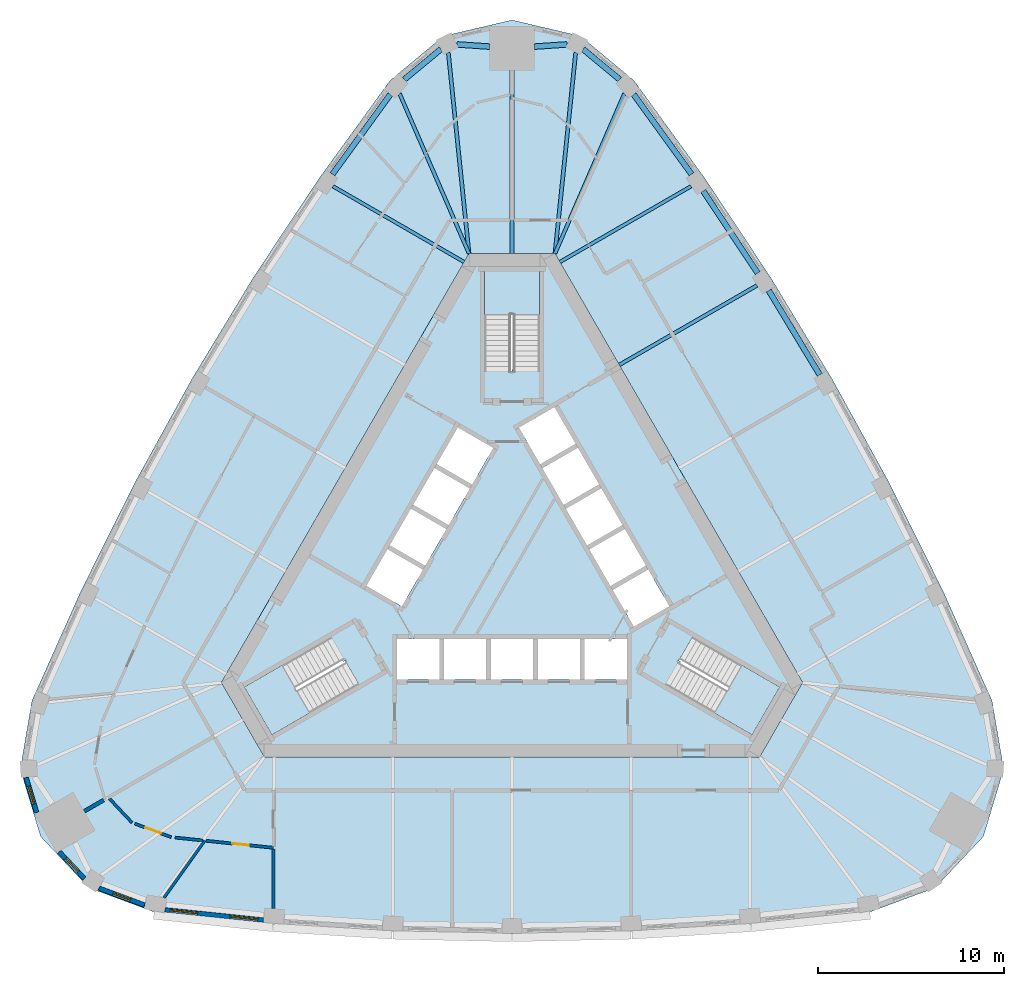
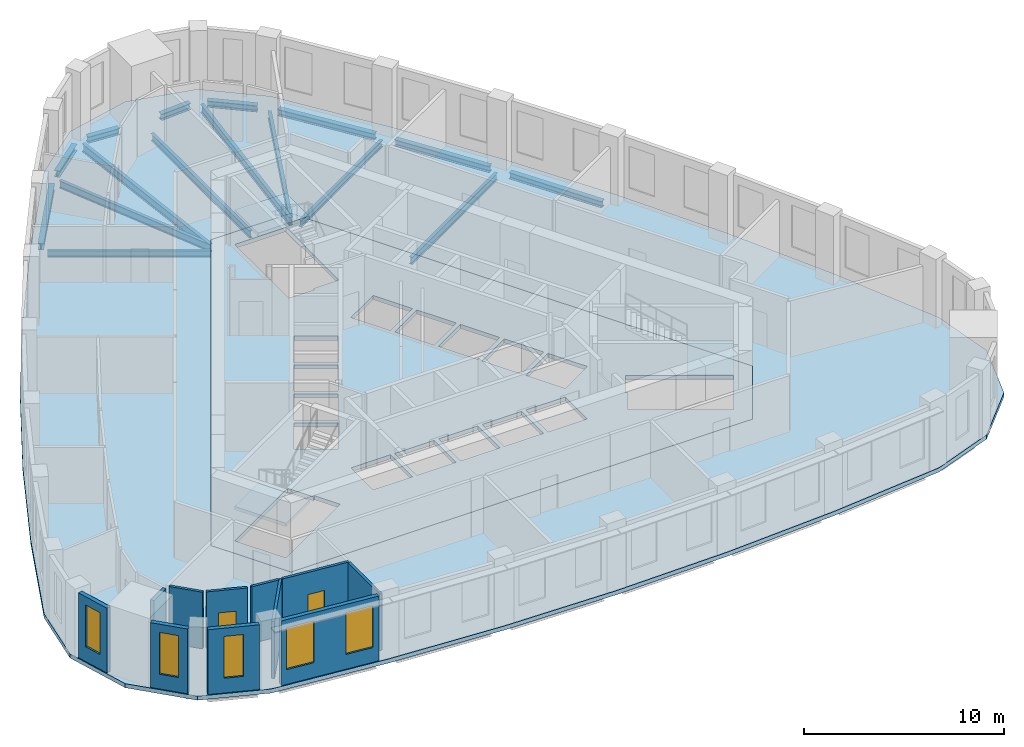
# One storey, part 2 of 10: 16 beams, 11 walls, 5 slabs, 5 windows, 2 doors, 7 openings, 3 elements without a shape of their own.
"""IFC4 building model written with IfcOpenShell, lengths in metres."""

from ifc_helpers import new_model, si_unit, direction, frame, frame_2d, origin, origin_2d, place, context, subcontext, project, spatial, polyline, rectangle, i_section, outline, extrude, material, layer, layer_set, material_profile, profile_set, type_object, element, fill, aggregate, save


model = new_model("IFC4")

# Units and contexts
model_context = context("Model", 3, precision=1e-05, world=origin(), true_north=direction((0.0, 1.0)))
body_context = subcontext(model_context, "Body", "Model", "MODEL_VIEW")
ifc_project = project(units=[si_unit("LENGTHUNIT", "METRE"), si_unit("AREAUNIT", "SQUARE_METRE"), si_unit("VOLUMEUNIT", "CUBIC_METRE"), si_unit("PLANEANGLEUNIT", "RADIAN"), si_unit("MASSUNIT", "GRAM", prefix="KILO")], contexts=[model_context])

# Site, building, storey
site_placement = place(None, origin())
site = spatial("IfcSite", under=ifc_project, at=site_placement, CompositionType="ELEMENT")
building_placement = place(site_placement, origin())
building = spatial("IfcBuilding", under=site, at=building_placement, Name="Mestral Congress Tower", CompositionType="ELEMENT")
storey_placement = place(building_placement, frame((0.0, 0.0, 222.60009765625)))
storey = spatial("IfcBuildingStorey", under=building, at=storey_placement, Name="L52", CompositionType="ELEMENT", Elevation=222.60009765625)

# Beams
ifc_material_1 = material(Name="Steel S355", Category="steel")
ifc_material_profile_1 = material_profile(ifc_material_1, i_section(OverallWidth=0.179931640625, OverallDepth=0.39990234375, WebThickness=0.008544921875, FlangeThickness=0.013427734375, FilletRadius=0.02099609375, at=origin_2d()), Name="IPE 400")
ifc_profile_set_1 = profile_set([ifc_material_profile_1], Name="Steel S355")
beam_type_1 = type_object("IfcBeamType", Name="Floor beam IPE 400 S355", PredefinedType="BEAM", material=ifc_profile_set_1)
for number, where, z_axis, x_axis, name in (
    (1, (9.627197265625, 20.321533203125, -0.4501953125), (-0.86601443812, -0.500018992608, 0.0), (0.500018992608, -0.86601443812, 0.0), "BM-L52-RB4-E05"),
    (2, (-9.627197265625, 20.321533203125, -0.4501953125), (0.86601443812, -0.500018992608, 0.0), (0.500018992608, 0.86601443812, 0.0), "BM-L52-RB4-W01"),
):
    element("IfcBeam", number, at=place(storey_placement, frame(where, z_axis=z_axis, x_axis=x_axis)), inside=storey, type_object=beam_type_1, Name=name, PredefinedType="BEAM", context=body_context, shape_type="SweptSolid", body=[
        extrude(i_section(OverallWidth=0.179931640625, OverallDepth=0.39990234375, WebThickness=0.008544921875, FlangeThickness=0.013427734375, FilletRadius=0.02099609375, at=origin_2d()), origin(), (0.0, 0.0, 1.0), 8.148193359375),
    ])
ifc_material_profile_2 = material_profile(ifc_material_1, i_section(OverallWidth=0.18994140625, OverallDepth=0.449951171875, WebThickness=0.009521484375, FlangeThickness=0.0146484375, FilletRadius=0.02099609375, at=origin_2d()), Name="IPE 450")
ifc_profile_set_2 = profile_set([ifc_material_profile_2], Name="Steel S355")
beam_type_2 = type_object("IfcBeamType", Name="Floor beam IPE 450 S355", PredefinedType="BEAM", material=ifc_profile_set_2)
beam_1_placement = place(storey_placement, frame((13.16650390625, 14.98974609375, -0.47509765625), z_axis=(-0.866028621479, -0.499994426748, 0.0), x_axis=(0.499994426748, -0.866028621479, 0.0)))
element("IfcBeam", 3, at=beam_1_placement, inside=storey, type_object=beam_type_2, Name="BM-L52-RB4-E04", PredefinedType="BEAM", context=body_context, shape_type="SweptSolid", body=[
    extrude(i_section(OverallWidth=0.18994140625, OverallDepth=0.449951171875, WebThickness=0.009521484375, FlangeThickness=0.0146484375, FilletRadius=0.02099609375, at=origin_2d()), origin(), (0.0, 0.0, 1.0), 8.54736328125),
])
beam_2_placement = place(storey_placement, frame((6.0419921875, 25.296875, -0.47509765625), z_axis=(-0.398265997009, -0.91726996878, 0.0), x_axis=(0.91726996878, -0.398265997009, 0.0)))
element("IfcBeam", 4, at=beam_2_placement, inside=storey, type_object=beam_type_2, Name="BM-L52-RB4-E06", PredefinedType="BEAM", context=body_context, shape_type="SweptSolid", body=[
    extrude(i_section(OverallWidth=0.18994140625, OverallDepth=0.449951171875, WebThickness=0.009521484375, FlangeThickness=0.0146484375, FilletRadius=0.02099609375, at=origin_2d()), origin(), (0.0, 0.0, 1.0), 9.372314453125),
])
beam_3_placement = place(storey_placement, frame((0.0, 26.54443359375, -0.47509765625), z_axis=(0.0, -1.0, 0.0), x_axis=(1.0, 0.0, 0.0)))
element("IfcBeam", 5, at=beam_3_placement, inside=storey, type_object=beam_type_2, Name="BM-L52-RB4-N", PredefinedType="BEAM", context=body_context, shape_type="SweptSolid", body=[
    extrude(i_section(OverallWidth=0.18994140625, OverallDepth=0.449951171875, WebThickness=0.009521484375, FlangeThickness=0.0146484375, FilletRadius=0.02099609375, at=origin_2d()), origin(), (0.0, 0.0, 1.0), 9.844482421875),
])
beam_4_placement = place(storey_placement, frame((-6.0419921875, 25.296875, -0.47509765625), z_axis=(0.398265997009, -0.91726996878, 0.0), x_axis=(0.91726996878, 0.398265997009, 0.0)))
element("IfcBeam", 6, at=beam_4_placement, inside=storey, type_object=beam_type_2, Name="BM-L52-RB4-W00", PredefinedType="BEAM", context=body_context, shape_type="SweptSolid", body=[
    extrude(i_section(OverallWidth=0.18994140625, OverallDepth=0.449951171875, WebThickness=0.009521484375, FlangeThickness=0.0146484375, FilletRadius=0.02099609375, at=origin_2d()), origin(), (0.0, 0.0, 1.0), 9.372314453125),
])
ifc_material_profile_3 = material_profile(ifc_material_1, i_section(OverallWidth=0.199951171875, OverallDepth=0.5, WebThickness=0.01025390625, FlangeThickness=0.01611328125, FilletRadius=0.02099609375, at=origin_2d()), Name="IPE 500")
ifc_profile_set_3 = profile_set([ifc_material_profile_3], Name="Steel S355")
beam_type_3 = type_object("IfcBeamType", Name="Floor beam IPE 500 S355", PredefinedType="BEAM", material=ifc_profile_set_3)
for number, where, z_axis, x_axis, name in (
    (7, (3.4228515625, 27.5009765625, -0.5), (-0.102550876252, -0.994727760636, 0.0), (0.994727760636, -0.102550876252, 0.0), "BM-L52-RB4-N1"),
    (8, (-3.4228515625, 27.5009765625, -0.5), (0.102550876252, -0.994727760636, 0.0), (0.994727760636, 0.102550876252, 0.0), "BM-L52-RB4-N3"),
):
    element("IfcBeam", number, at=place(storey_placement, frame(where, z_axis=z_axis, x_axis=x_axis)), inside=storey, type_object=beam_type_3, Name=name, PredefinedType="BEAM", context=body_context, shape_type="SweptSolid", body=[
        extrude(i_section(OverallWidth=0.199951171875, OverallDepth=0.5, WebThickness=0.01025390625, FlangeThickness=0.01611328125, FilletRadius=0.02099609375, at=origin_2d()), origin(), (0.0, 0.0, 1.0), 10.858154296875),
    ])
ifc_material_profile_4 = material_profile(ifc_material_1, i_section(OverallWidth=0.300048828125, OverallDepth=0.389892578125, WebThickness=0.010986328125, FlangeThickness=0.01904296875, FilletRadius=0.027099609375, at=origin_2d()), Name="HEA 400")
ifc_profile_set_4 = profile_set([ifc_material_profile_4], Name="Steel S355")
beam_type_4 = type_object("IfcBeamType", Name="Spandrel beam HEA 400 S355", PredefinedType="BEAM", material=ifc_profile_set_4)
for number, where, z_axis, x_axis, name in (
    (9, (16.54248046875, 10.185791015625, -0.445068359375), (-0.517865676042, 0.855461946306, 0.0), (-0.855461946306, -0.517865676042, 0.0), "SP-L52-SB4-E03"),
    (10, (13.209228515625, 15.648193359375, -0.445068359375), (-0.552934106774, 0.833224983762, 0.0), (-0.833224983762, -0.552934106774, 0.0), "SP-L52-SB4-E04"),
):
    element("IfcBeam", number, at=place(storey_placement, frame(where, z_axis=z_axis, x_axis=x_axis)), inside=storey, type_object=beam_type_4, Name=name, PredefinedType="BEAM", context=body_context, shape_type="SweptSolid", body=[
        extrude(i_section(OverallWidth=0.300048828125, OverallDepth=0.389892578125, WebThickness=0.010986328125, FlangeThickness=0.01904296875, FilletRadius=0.027099609375, at=origin_2d()), origin(), (0.0, 0.0, 1.0), 5.29931640625),
    ])
beam_5_placement = place(storey_placement, frame((9.652099609375, 20.967529296875, -0.445068359375), z_axis=(-0.587017415163, 0.809574304369, 0.0), x_axis=(-0.809574304369, -0.587017415163, 0.0)))
element("IfcBeam", 11, at=beam_5_placement, inside=storey, type_object=beam_type_4, Name="SP-L52-SB4-E05", PredefinedType="BEAM", context=body_context, shape_type="SweptSolid", body=[
    extrude(i_section(OverallWidth=0.300048828125, OverallDepth=0.389892578125, WebThickness=0.010986328125, FlangeThickness=0.01904296875, FilletRadius=0.027099609375, at=origin_2d()), origin(), (0.0, 0.0, 1.0), 5.29736328125),
])
beam_6_placement = place(storey_placement, frame((5.789306640625, 26.058837890625, -0.445068359375), z_axis=(-0.769970431757, 0.638079567311, 0.0), x_axis=(-0.638079567311, -0.769970431757, 0.0)))
element("IfcBeam", 12, at=beam_6_placement, inside=storey, type_object=beam_type_4, Name="SP-L52-SB4-E06", PredefinedType="BEAM", context=body_context, shape_type="SweptSolid", body=[
    extrude(i_section(OverallWidth=0.300048828125, OverallDepth=0.389892578125, WebThickness=0.010986328125, FlangeThickness=0.01904296875, FilletRadius=0.027099609375, at=origin_2d()), origin(), (0.0, 0.0, 1.0), 2.547119140625),
])
for number, where, z_axis, x_axis, name in (
    (13, (2.9521484375, 27.94384765625, -0.445068359375), (-0.997724466462, -0.067423208337, 0.0), (0.067423208337, -0.997724466462, 0.0), "SP-L52-SB4-N1"),
    (14, (-1.199951171875, 27.825439453125, -0.445068359375), (-0.997724466462, 0.067423208337, 0.0), (-0.067423208337, -0.997724466462, 0.0), "SP-L52-SB4-N"),
):
    element("IfcBeam", number, at=place(storey_placement, frame(where, z_axis=z_axis, x_axis=x_axis)), inside=storey, type_object=beam_type_4, Name=name, PredefinedType="BEAM", context=body_context, shape_type="SweptSolid", body=[
        extrude(i_section(OverallWidth=0.300048828125, OverallDepth=0.389892578125, WebThickness=0.010986328125, FlangeThickness=0.01904296875, FilletRadius=0.027099609375, at=origin_2d()), origin(), (0.0, 0.0, 1.0), 1.756103515625),
    ])
beam_7_placement = place(storey_placement, frame((-3.828125, 27.68408203125, -0.445068359375), z_axis=(-0.769970431757, -0.638079567311, 0.0), x_axis=(0.638079567311, -0.769970431757, 0.0)))
element("IfcBeam", 15, at=beam_7_placement, inside=storey, type_object=beam_type_4, Name="SP-L52-SB4-N3", PredefinedType="BEAM", context=body_context, shape_type="SweptSolid", body=[
    extrude(i_section(OverallWidth=0.300048828125, OverallDepth=0.389892578125, WebThickness=0.010986328125, FlangeThickness=0.01904296875, FilletRadius=0.027099609375, at=origin_2d()), origin(), (0.0, 0.0, 1.0), 2.547119140625),
])
beam_8_placement = place(storey_placement, frame((-6.54248046875, 25.256103515625, -0.445068359375), z_axis=(-0.587017415163, -0.809574304369, 0.0), x_axis=(0.809574304369, -0.587017415163, 0.0)))
element("IfcBeam", 16, at=beam_8_placement, inside=storey, type_object=beam_type_4, Name="SP-L52-SB4-W00", PredefinedType="BEAM", context=body_context, shape_type="SweptSolid", body=[
    extrude(i_section(OverallWidth=0.300048828125, OverallDepth=0.389892578125, WebThickness=0.010986328125, FlangeThickness=0.01904296875, FilletRadius=0.027099609375, at=origin_2d()), origin(), (0.0, 0.0, 1.0), 5.29736328125),
])

# Slabs
ifc_material_2 = material(Name="Concrete C35/45", Category="concrete")
ifc_layer_1 = layer(ifc_material_2, 0.25)
ifc_layer_set_1 = layer_set([ifc_layer_1], Name="Concrete C35/45")
slab_type_1 = type_object("IfcSlabType", Name="Composite floor slab 250", PredefinedType="FLOOR", material=ifc_layer_set_1)
placement_1 = place(storey_placement, frame((0.0, 0.0, -0.25)))
element("IfcSlab", 17, at=placement_1, inside=storey, type_object=slab_type_1, Name="SL-L52", PredefinedType="FLOOR", context=body_context, shape_type="SweptSolid", body=[
    extrude(outline(polyline([(-19.253662109375, -18.678466796875), (-22.75, -17.381591796875), (-25.3369140625, -14.62841796875), (-26.427978515625, -11.01123046875), (-25.802978515625, -7.334716796875), (-23.16748046875, -1.4306640625), (-20.310302734375, 4.316650390625), (-17.21728515625, 9.9404296875), (-13.8935546875, 15.430908203125), (-10.3447265625, 20.77880859375), (-6.54931640625, 26.013427734375), (-3.677978515625, 28.392822265625), (0.0, 29.256591796875), (3.677978515625, 28.392822265625), (6.54931640625, 26.013427734375), (10.3447265625, 20.77880859375), (13.8935546875, 15.430908203125), (17.21728515625, 9.9404296875), (20.310302734375, 4.316650390625), (23.16748046875, -1.4306640625), (25.802978515625, -7.334716796875), (26.427978515625, -11.01123046875), (25.3369140625, -14.62841796875), (22.75, -17.381591796875), (19.253662109375, -18.678466796875), (12.822509765625, -19.34814453125), (6.416748046875, -19.74755859375), (0.0, -19.880615234375), (-6.416748046875, -19.74755859375), (-12.822509765625, -19.34814453125), (-19.253662109375, -18.678466796875)]), holes=[polyline([(-2.309326171875, 16.699951171875), (-15.6171875, -6.35009765625), (-13.307861328125, -10.35009765625), (13.307861328125, -10.35009765625), (15.6171875, -6.35009765625), (2.309326171875, 16.699951171875), (-2.309326171875, 16.699951171875)])]), origin(), (0.0, 0.0, 1.0), 0.25),
])
ifc_material_3 = material(Name="Concrete C60/75", Category="concrete")
ifc_layer_2 = layer(ifc_material_3, 0.25)
ifc_layer_set_2 = layer_set([ifc_layer_2], Name="Concrete C60/75")
slab_type_2 = type_object("IfcSlabType", Name="Core floor slab RC 250", PredefinedType="FLOOR", material=ifc_layer_set_2)
element("IfcSlab", 18, at=placement_1, inside=storey, type_object=slab_type_2, Name="L52 core floor", PredefinedType="FLOOR", context=body_context, shape_type="SweptSolid", body=[
    extrude(outline(polyline([(13.307861328125, -10.35009765625), (-13.307861328125, -10.35009765625), (-15.6171875, -6.35009765625), (-2.309326171875, 16.699951171875), (2.309326171875, 16.699951171875), (15.6171875, -6.35009765625), (13.307861328125, -10.35009765625)]), holes=[polyline([(-9.8046875, -3.95751953125), (-14.37744140625, -6.59765625), (-12.90234375, -9.15234375), (-8.234619140625, -6.45751953125), (-8.971923828125, -5.179931640625), (-9.0673828125, -5.235107421875), (-9.8046875, -3.95751953125)]), polyline([(-3.905029296875, -4.0), (-6.175048828125, -4.0), (-6.175048828125, -6.199951171875), (-3.905029296875, -6.199951171875), (-3.905029296875, -4.0)]), polyline([(-1.385009765625, -4.0), (-3.655029296875, -4.0), (-3.655029296875, -6.199951171875), (-1.385009765625, -6.199951171875), (-1.385009765625, -4.0)]), polyline([(1.135009765625, -4.0), (-1.135009765625, -4.0), (-1.135009765625, -6.199951171875), (1.135009765625, -6.199951171875), (1.135009765625, -4.0)]), polyline([(-5.921630859375, -2.256591796875), (-4.78662109375, -0.29052734375), (-6.69189453125, 0.809326171875), (-7.826904296875, -1.156494140625), (-5.921630859375, -2.256591796875)]), polyline([(-4.66162109375, -0.07421875), (-3.526611328125, 1.8916015625), (-5.431884765625, 2.99169921875), (-6.56689453125, 1.02587890625), (-4.66162109375, -0.07421875)]), polyline([(-3.401611328125, 2.1083984375), (-2.2666015625, 4.07421875), (-4.171875, 5.174072265625), (-5.306884765625, 3.208251953125), (-3.401611328125, 2.1083984375)]), polyline([(-2.1416015625, 4.29052734375), (-1.006591796875, 6.256591796875), (-2.911865234375, 7.3564453125), (-4.046875, 5.390625), (-2.1416015625, 4.29052734375)]), polyline([(1.47509765625, 10.469970703125), (1.47509765625, 15.75), (-1.47509765625, 15.75), (-1.47509765625, 10.360107421875), (0.0, 10.360107421875), (0.0, 10.469970703125), (1.47509765625, 10.469970703125)]), polyline([(8.329833984375, -6.512451171875), (12.90234375, -9.15234375), (14.37744140625, -6.59765625), (9.70947265625, -3.902587890625), (8.971923828125, -5.179931640625), (9.0673828125, -5.235107421875), (8.329833984375, -6.512451171875)]), polyline([(3.655029296875, -4.0), (1.385009765625, -4.0), (1.385009765625, -6.199951171875), (3.655029296875, -6.199951171875), (3.655029296875, -4.0)]), polyline([(6.175048828125, -4.0), (3.905029296875, -4.0), (3.905029296875, -6.199951171875), (6.175048828125, -6.199951171875), (6.175048828125, -4.0)]), polyline([(5.41650390625, -1.3818359375), (6.551513671875, -3.34765625), (8.456787109375, -2.247802734375), (7.322021484375, -0.28173828125), (5.41650390625, -1.3818359375)]), polyline([(4.156494140625, 0.800537109375), (5.29150390625, -1.165283203125), (7.197021484375, -0.065185546875), (6.06201171875, 1.900634765625), (4.156494140625, 0.800537109375)]), polyline([(2.896484375, 2.98291015625), (4.031494140625, 1.01708984375), (5.93701171875, 2.1171875), (4.802001953125, 4.0830078125), (2.896484375, 2.98291015625)]), polyline([(3.5419921875, 6.265380859375), (1.63671875, 5.165283203125), (2.771484375, 3.199462890625), (4.677001953125, 4.29931640625), (3.5419921875, 6.265380859375)]), polyline([(2.281982421875, 8.44775390625), (0.376708984375, 7.34765625), (1.51171875, 5.3818359375), (3.4169921875, 6.481689453125), (2.281982421875, 8.44775390625)])]), origin(), (0.0, 0.0, 1.0), 0.25),
])

# Stair, slab
stair_type = type_object("IfcStairType", Name="Exit stair 1400", PredefinedType="HALF_TURN_STAIR", material=ifc_material_3)
placement_2 = place(storey_placement, origin())
stair_1 = element("IfcStair", 19, at=placement_2, inside=storey, type_object=stair_type, Name="L52 ST1", PredefinedType="HALF_TURN_STAIR")
ifc_layer_3 = layer(ifc_material_3, 0.199951171875)
ifc_layer_set_3 = layer_set([ifc_layer_3], Name="Concrete C60/75")
slab_type_3 = type_object("IfcSlabType", Name="Exit stair landing 200", PredefinedType="LANDING", material=ifc_layer_set_3)
placement_3 = place(storey_placement, frame((0.0, 0.0, 1.89990234375)))
slab_3 = element("IfcSlab", 20, at=placement_3, type_object=slab_type_3, Name="ST1 landing 1", PredefinedType="LANDING", context=body_context, shape_type="SweptSolid", body=[
    extrude(outline(polyline([(10.879638671875, -7.99609375), (12.364501953125, -5.424072265625), (14.39111328125, -6.593994140625), (12.906005859375, -9.166015625), (10.879638671875, -7.99609375)])), origin(), (0.0, 0.0, 1.0), 0.199951171875),
])
aggregate(stair_1, [slab_3])

stair_2 = element("IfcStair", 21, at=placement_2, inside=storey, type_object=stair_type, Name="L52 ST2", PredefinedType="HALF_TURN_STAIR")
slab_4 = element("IfcSlab", 22, at=placement_3, type_object=slab_type_3, Name="ST2 landing 1", PredefinedType="LANDING", context=body_context, shape_type="SweptSolid", body=[
    extrude(outline(polyline([(1.485107421875, 13.419921875), (-1.485107421875, 13.419921875), (-1.485107421875, 15.760009765625), (1.485107421875, 15.760009765625), (1.485107421875, 13.419921875)])), origin(), (0.0, 0.0, 1.0), 0.199951171875),
])
aggregate(stair_2, [slab_4])

stair_3 = element("IfcStair", 23, at=placement_2, inside=storey, type_object=stair_type, Name="L52 ST3", PredefinedType="HALF_TURN_STAIR")
slab_5 = element("IfcSlab", 24, at=placement_3, type_object=slab_type_3, Name="ST3 landing 1", PredefinedType="LANDING", context=body_context, shape_type="SweptSolid", body=[
    extrude(outline(polyline([(-12.364501953125, -5.424072265625), (-10.879638671875, -7.99609375), (-12.906005859375, -9.166015625), (-14.39111328125, -6.593994140625), (-12.364501953125, -5.424072265625)])), origin(), (0.0, 0.0, 1.0), 0.199951171875),
])
aggregate(stair_3, [slab_5])

# Wall, openings, windows
ifc_material_4 = material(Name="Precast concrete C40/50 with limestone facing", Category="masonry")
ifc_layer_4 = layer(ifc_material_4, 0.239990234375)
ifc_layer_set_4 = layer_set([ifc_layer_4], Name="Precast concrete C40/50 with limestone facing")
wall_type_1 = type_object("IfcWallType", Name="Facade stone wall 240", PredefinedType="SOLIDWALL", material=ifc_layer_set_4)
wall_1_placement = place(storey_placement, frame((-18.644287109375, -18.571044921875, 0.0), z_axis=(0.0, 0.0, 1.0), x_axis=(0.994621961215, -0.103571976272, 0.0)))
wall_1 = element("IfcWall", 25, at=wall_1_placement, inside=storey, type_object=wall_type_1, Name="Facade wall F0-00", PredefinedType="SOLIDWALL", context=body_context, shape_type="SweptSolid", body=[
    extrude(rectangle(XDim=5.310791015625, YDim=0.239990234375, at=frame_2d((2.6552734375, 0.0))), origin(), (0.0, 0.0, 1.0), 3.949951171875),
])
opening_1_placement = place(wall_1_placement, frame((0.271484375, 0.0, 0.89990234375)))
opening_1 = element("IfcOpeningElement", 26, at=opening_1_placement, cuts=wall_1, Name="Opening W4", PredefinedType="OPENING", context=body_context, shape_type="SweptSolid", body=[
    extrude(rectangle(XDim=1.5, YDim=2.550048828125, at=frame_2d((0.75, 1.27490234375))), frame((0.0, 0.1298828125, 0.0), z_axis=(0.0, -1.0, 0.0), x_axis=(1.0, 0.0, 0.0)), (0.0, 0.0, 1.0), 0.260009765625),
])
opening_2_placement = place(wall_1_placement, frame((3.50439453125, 0.0, 0.89990234375)))
opening_2 = element("IfcOpeningElement", 27, at=opening_2_placement, cuts=wall_1, Name="Opening W4", PredefinedType="OPENING", context=body_context, shape_type="SweptSolid", body=[
    extrude(rectangle(XDim=1.5, YDim=2.550048828125, at=frame_2d((0.75, 1.27490234375))), frame((0.0, 0.1298828125, 0.0), z_axis=(0.0, -1.0, 0.0), x_axis=(1.0, 0.0, 0.0)), (0.0, 0.0, 1.0), 0.260009765625),
])
ifc_material_5 = material(Name="Clear low-emissivity double glazing", Category="glass")
window_type_1 = type_object("IfcWindowType", Name="Facade punched window 1500 x 2550 sill 900", PartitioningType="SINGLE_PANEL", PredefinedType="WINDOW", material=ifc_material_5)
window_1_placement = place(opening_1_placement, origin())
window_1 = element("IfcWindow", 28, at=window_1_placement, inside=storey, type_object=window_type_1, Name="Window F0-00a", OverallHeight=2.550048828125, OverallWidth=1.5, PartitioningType="SINGLE_PANEL", PredefinedType="WINDOW", context=body_context, shape_type="SweptSolid", body=[
    extrude(rectangle(XDim=1.5, YDim=2.550048828125, at=frame_2d((0.75, 1.27490234375))), frame((0.0, 0.0400390625, 0.0), z_axis=(0.0, -1.0, 0.0), x_axis=(1.0, 0.0, 0.0)), (0.0, 0.0, 1.0), 0.06005859375),
])
fill(opening_1, window_1)
window_2_placement = place(opening_2_placement, origin())
window_2 = element("IfcWindow", 29, at=window_2_placement, inside=storey, type_object=window_type_1, Name="Window F0-00b", OverallHeight=2.550048828125, OverallWidth=1.5, PartitioningType="SINGLE_PANEL", PredefinedType="WINDOW", context=body_context, shape_type="SweptSolid", body=[
    extrude(rectangle(XDim=1.5, YDim=2.550048828125, at=frame_2d((0.75, 1.27490234375))), frame((0.0, 0.0400390625, 0.0), z_axis=(0.0, -1.0, 0.0), x_axis=(1.0, 0.0, 0.0)), (0.0, 0.0, 1.0), 0.06005859375),
])
fill(opening_2, window_2)

# Wall, opening, window
wall_2_placement = place(storey_placement, frame((-26.1123046875, -11.469482421875, 0.0), z_axis=(0.0, 0.0, 1.0), x_axis=(0.288727209095, -0.957411405159, 0.0)))
wall_2 = element("IfcWall", 30, at=wall_2_placement, inside=storey, type_object=wall_type_1, Name="Facade wall K2-1", PredefinedType="SOLIDWALL", context=body_context, shape_type="SweptSolid", body=[
    extrude(rectangle(XDim=1.9482421875, YDim=0.239990234375, at=frame_2d((0.97412109375, 0.0))), origin(), (0.0, 0.0, 1.0), 3.949951171875),
])
opening_3_placement = place(wall_2_placement, frame((0.47412109375, 0.0, 0.89990234375)))
opening_3 = element("IfcOpeningElement", 31, at=opening_3_placement, cuts=wall_2, Name="Opening W5", PredefinedType="OPENING", context=body_context, shape_type="SweptSolid", body=[
    extrude(rectangle(XDim=1.0, YDim=2.550048828125, at=frame_2d((0.5, 1.27490234375))), frame((0.0, 0.1298828125, 0.0), z_axis=(0.0, -1.0, 0.0), x_axis=(1.0, 0.0, 0.0)), (0.0, 0.0, 1.0), 0.260009765625),
])
window_type_2 = type_object("IfcWindowType", Name="Facade punched window 1000 x 2550 sill 900", PartitioningType="SINGLE_PANEL", PredefinedType="WINDOW", material=ifc_material_5)
window_3_placement = place(opening_3_placement, origin())
window_3 = element("IfcWindow", 32, at=window_3_placement, inside=storey, type_object=window_type_2, Name="Window K2-1", OverallHeight=2.550048828125, OverallWidth=1.0, PartitioningType="SINGLE_PANEL", PredefinedType="WINDOW", context=body_context, shape_type="SweptSolid", body=[
    extrude(rectangle(XDim=1.0, YDim=2.550048828125, at=frame_2d((0.5, 1.27490234375))), frame((0.0, 0.0400390625, 0.0), z_axis=(0.0, -1.0, 0.0), x_axis=(1.0, 0.0, 0.0)), (0.0, 0.0, 1.0), 0.06005859375),
])
fill(opening_3, window_3)

wall_3_placement = place(storey_placement, frame((-24.322998046875, -15.459228515625, 0.0), z_axis=(0.0, 0.0, 1.0), x_axis=(0.684770274166, -0.728758994194, 0.0)))
wall_3 = element("IfcWall", 33, at=wall_3_placement, inside=storey, type_object=wall_type_1, Name="Facade wall K2-2", PredefinedType="SOLIDWALL", context=body_context, shape_type="SweptSolid", body=[
    extrude(rectangle(XDim=1.947998046875, YDim=0.239990234375, at=frame_2d((0.97412109375, 0.0))), origin(), (0.0, 0.0, 1.0), 3.949951171875),
])
opening_4_placement = place(wall_3_placement, frame((0.47412109375, 0.0, 0.89990234375)))
opening_4 = element("IfcOpeningElement", 34, at=opening_4_placement, cuts=wall_3, Name="Opening W5", PredefinedType="OPENING", context=body_context, shape_type="SweptSolid", body=[
    extrude(rectangle(XDim=1.0, YDim=2.550048828125, at=frame_2d((0.5, 1.27490234375))), frame((0.0, 0.1298828125, 0.0), z_axis=(0.0, -1.0, 0.0), x_axis=(1.0, 0.0, 0.0)), (0.0, 0.0, 1.0), 0.260009765625),
])
window_4_placement = place(opening_4_placement, origin())
window_4 = element("IfcWindow", 35, at=window_4_placement, inside=storey, type_object=window_type_2, Name="Window K2-2", OverallHeight=2.550048828125, OverallWidth=1.0, PartitioningType="SINGLE_PANEL", PredefinedType="WINDOW", context=body_context, shape_type="SweptSolid", body=[
    extrude(rectangle(XDim=1.0, YDim=2.550048828125, at=frame_2d((0.5, 1.27490234375))), frame((0.0, 0.0400390625, 0.0), z_axis=(0.0, -1.0, 0.0), x_axis=(1.0, 0.0, 0.0)), (0.0, 0.0, 1.0), 0.06005859375),
])
fill(opening_4, window_4)

wall_4_placement = place(storey_placement, frame((-22.194091796875, -17.406494140625, 0.0), z_axis=(0.0, 0.0, 1.0), x_axis=(0.937569171184, -0.347798863203, 0.0)))
wall_4 = element("IfcWall", 36, at=wall_4_placement, inside=storey, type_object=wall_type_1, Name="Facade wall K2-3", PredefinedType="SOLIDWALL", context=body_context, shape_type="SweptSolid", body=[
    extrude(rectangle(XDim=2.609130859375, YDim=0.239990234375, at=frame_2d((1.3046875, 0.0))), origin(), (0.0, 0.0, 1.0), 3.949951171875),
])
opening_5_placement = place(wall_4_placement, frame((0.8046875, 0.0, 0.89990234375)))
opening_5 = element("IfcOpeningElement", 37, at=opening_5_placement, cuts=wall_4, Name="Opening W5", PredefinedType="OPENING", context=body_context, shape_type="SweptSolid", body=[
    extrude(rectangle(XDim=1.0, YDim=2.550048828125, at=frame_2d((0.5, 1.27490234375))), frame((0.0, 0.1298828125, 0.0), z_axis=(0.0, -1.0, 0.0), x_axis=(1.0, 0.0, 0.0)), (0.0, 0.0, 1.0), 0.260009765625),
])
window_5_placement = place(opening_5_placement, origin())
window_5 = element("IfcWindow", 38, at=window_5_placement, inside=storey, type_object=window_type_2, Name="Window K2-3", OverallHeight=2.550048828125, OverallWidth=1.0, PartitioningType="SINGLE_PANEL", PredefinedType="WINDOW", context=body_context, shape_type="SweptSolid", body=[
    extrude(rectangle(XDim=1.0, YDim=2.550048828125, at=frame_2d((0.5, 1.27490234375))), frame((0.0, 0.0400390625, 0.0), z_axis=(0.0, -1.0, 0.0), x_axis=(1.0, 0.0, 0.0)), (0.0, 0.0, 1.0), 0.06005859375),
])
fill(opening_5, window_5)

# Walls
ifc_material_6 = material(Name="Plasterboard partition on steel studs", Category="steel")
ifc_layer_5 = layer(ifc_material_6, 0.14990234375)
ifc_layer_set_5 = layer_set([ifc_layer_5], Name="Plasterboard partition on steel studs")
wall_type_2 = type_object("IfcWallType", Name="Office partition 150", PredefinedType="PARTITIONING", material=ifc_layer_set_5)
wall_5_placement = place(storey_placement, frame((-16.52099609375, -14.85107421875, 0.0), z_axis=(0.0, 0.0, 1.0), x_axis=(-0.58104805465, -0.813869251285, 0.0)))
element("IfcWall", 39, at=wall_5_placement, inside=storey, type_object=wall_type_2, Name="Partition", PredefinedType="PARTITIONING", context=body_context, shape_type="SweptSolid", body=[
    extrude(rectangle(XDim=3.765625, YDim=0.14990234375, at=frame_2d((1.8828125, 0.0))), origin(), (0.0, 0.0, 1.0), 3.449951171875),
])
wall_6_placement = place(storey_placement, frame((-21.62841796875, -12.6025390625, 0.0), z_axis=(0.0, 0.0, 1.0), x_axis=(0.684778496912, -0.728751267695, 0.0)))
element("IfcWall", 40, at=wall_6_placement, inside=storey, type_object=wall_type_2, Name="Partition", PredefinedType="PARTITIONING", context=body_context, shape_type="SweptSolid", body=[
    extrude(rectangle(XDim=1.75439453125, YDim=0.14990234375, at=frame_2d((0.877197265625, 0.0))), origin(), (0.0, 0.0, 1.0), 3.449951171875),
])

# Wall, opening, door
wall_7_placement = place(storey_placement, frame((-18.31591796875, -14.6640625, 0.0), z_axis=(0.0, 0.0, 1.0), x_axis=(-0.937594570401, 0.347730386297, 0.0)))
wall_7 = element("IfcWall", 41, at=wall_7_placement, inside=storey, type_object=wall_type_2, Name="Partition", PredefinedType="PARTITIONING", context=body_context, shape_type="SweptSolid", body=[
    extrude(rectangle(XDim=2.0830078125, YDim=0.14990234375, at=frame_2d((1.04150390625, 0.0))), origin(), (0.0, 0.0, 1.0), 3.449951171875),
])
opening_6_placement = place(wall_7_placement, frame((0.583251953125, 0.0, 0.0)))
opening_6 = element("IfcOpeningElement", 42, at=opening_6_placement, cuts=wall_7, Name="Opening O07-017", PredefinedType="OPENING", context=body_context, shape_type="SweptSolid", body=[
    extrude(rectangle(XDim=0.89990234375, YDim=2.10009765625, at=frame_2d((0.449951171875, 1.050048828125))), frame((0.0, 0.0849609375, 0.0), z_axis=(0.0, -1.0, 0.0), x_axis=(1.0, 0.0, 0.0)), (0.0, 0.0, 1.0), 0.169921875),
])
ifc_material_7 = material(Name="Timber door set", Category="wood")
door_type = type_object("IfcDoorType", Name="Office door 900x2100", OperationType="SINGLE_SWING_LEFT", PredefinedType="DOOR", material=ifc_material_7)
door_1_placement = place(opening_6_placement, origin())
door_1 = element("IfcDoor", 43, at=door_1_placement, inside=storey, type_object=door_type, Name="Door O07-017", OperationType="SINGLE_SWING_LEFT", OverallHeight=2.10009765625, OverallWidth=0.89990234375, PredefinedType="DOOR", context=body_context, shape_type="SweptSolid", body=[
    extrude(rectangle(XDim=0.89990234375, YDim=2.10009765625, at=frame_2d((0.449951171875, 1.050048828125))), frame((0.0, 0.02490234375, 0.0), z_axis=(0.0, -1.0, 0.0), x_axis=(1.0, 0.0, 0.0)), (0.0, 0.0, 1.0), 0.050048828125),
])
fill(opening_6, door_1)

# Wall
wall_8_placement = place(storey_placement, frame((-18.102783203125, -14.686279296875, 0.0), z_axis=(0.0, 0.0, 1.0), x_axis=(0.994622241781, -0.103569281909, 0.0)))
element("IfcWall", 44, at=wall_8_placement, inside=storey, type_object=wall_type_2, Name="Partition", PredefinedType="PARTITIONING", context=body_context, shape_type="SweptSolid", body=[
    extrude(rectangle(XDim=1.50390625, YDim=0.14990234375, at=frame_2d((0.751953125, 0.0))), origin(), (0.0, 0.0, 1.0), 3.449951171875),
])

# Wall, opening, door
wall_9_placement = place(storey_placement, frame((-12.822509765625, -15.236083984375, 0.0), z_axis=(0.0, 0.0, 1.0), x_axis=(-0.994621582944, 0.10357560882, 0.0)))
wall_9 = element("IfcWall", 45, at=wall_9_placement, inside=storey, type_object=wall_type_2, Name="Partition", PredefinedType="PARTITIONING", context=body_context, shape_type="SweptSolid", body=[
    extrude(rectangle(XDim=3.63232421875, YDim=0.14990234375, at=frame_2d((1.816162109375, 0.0))), origin(), (0.0, 0.0, 1.0), 3.449951171875),
])
opening_7_placement = place(wall_9_placement, frame((1.332275390625, 0.0, 0.0)))
opening_7 = element("IfcOpeningElement", 46, at=opening_7_placement, cuts=wall_9, Name="Opening O07-018", PredefinedType="OPENING", context=body_context, shape_type="SweptSolid", body=[
    extrude(rectangle(XDim=0.89990234375, YDim=2.10009765625, at=frame_2d((0.449951171875, 1.050048828125))), frame((0.0, 0.0849609375, 0.0), z_axis=(0.0, -1.0, 0.0), x_axis=(1.0, 0.0, 0.0)), (0.0, 0.0, 1.0), 0.169921875),
])
door_2_placement = place(opening_7_placement, origin())
door_2 = element("IfcDoor", 47, at=door_2_placement, inside=storey, type_object=door_type, Name="Door O07-018", OperationType="SINGLE_SWING_LEFT", OverallHeight=2.10009765625, OverallWidth=0.89990234375, PredefinedType="DOOR", context=body_context, shape_type="SweptSolid", body=[
    extrude(rectangle(XDim=0.89990234375, YDim=2.10009765625, at=frame_2d((0.449951171875, 1.050048828125))), frame((0.0, 0.02490234375, 0.0), z_axis=(0.0, -1.0, 0.0), x_axis=(1.0, 0.0, 0.0)), (0.0, 0.0, 1.0), 0.050048828125),
])
fill(opening_7, door_2)

# Walls
wall_10_placement = place(storey_placement, frame((-12.822509765625, -15.3115234375, 0.0), z_axis=(0.0, 0.0, 1.0), x_axis=(0.0, -1.0, 0.0)))
element("IfcWall", 48, at=wall_10_placement, inside=storey, type_object=wall_type_2, Name="Partition", PredefinedType="PARTITIONING", context=body_context, shape_type="SweptSolid", body=[
    extrude(rectangle(XDim=3.18359375, YDim=0.14990234375, at=frame_2d((1.591796875, 0.0))), origin(), (0.0, 0.0, 1.0), 3.449951171875),
])
ifc_material_8 = material(Name="Dense masonry wall, plastered", Category="masonry")
ifc_layer_6 = layer(ifc_material_8, 0.199951171875)
ifc_layer_set_6 = layer_set([ifc_layer_6], Name="Dense masonry wall, plastered")
wall_type_3 = type_object("IfcWallType", Name="Office tenancy wall 200", PredefinedType="PARTITIONING", material=ifc_layer_set_6)
wall_11_placement = place(storey_placement, frame((-21.943359375, -12.6689453125, 0.0), z_axis=(0.0, 0.0, 1.0), x_axis=(-0.866030586491, -0.499991023182, 0.0)))
element("IfcWall", 49, at=wall_11_placement, inside=storey, type_object=wall_type_3, Name="Tenancy wall", PredefinedType="PARTITIONING", context=body_context, shape_type="SweptSolid", body=[
    extrude(rectangle(XDim=1.20654296875, YDim=0.199951171875, at=frame_2d((0.603271484375, 0.0))), origin(), (0.0, 0.0, 1.0), 3.449951171875),
])

save(model, "model.ifc")
